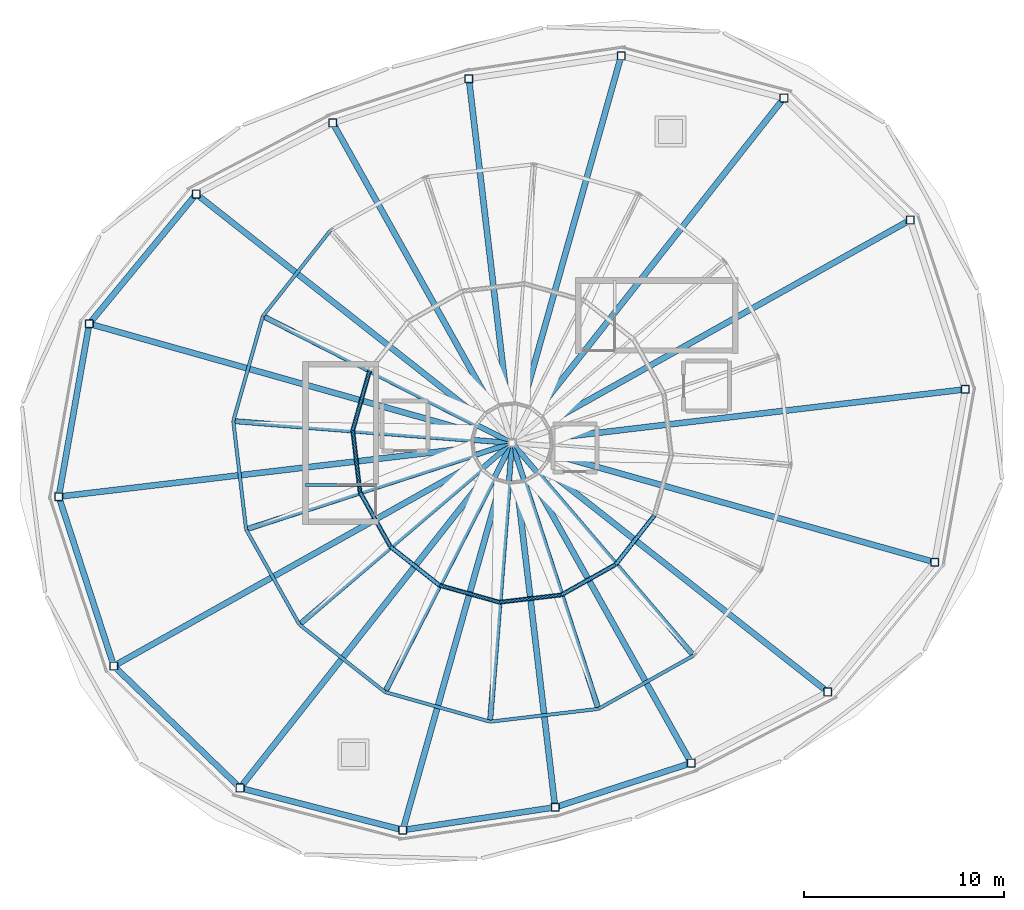
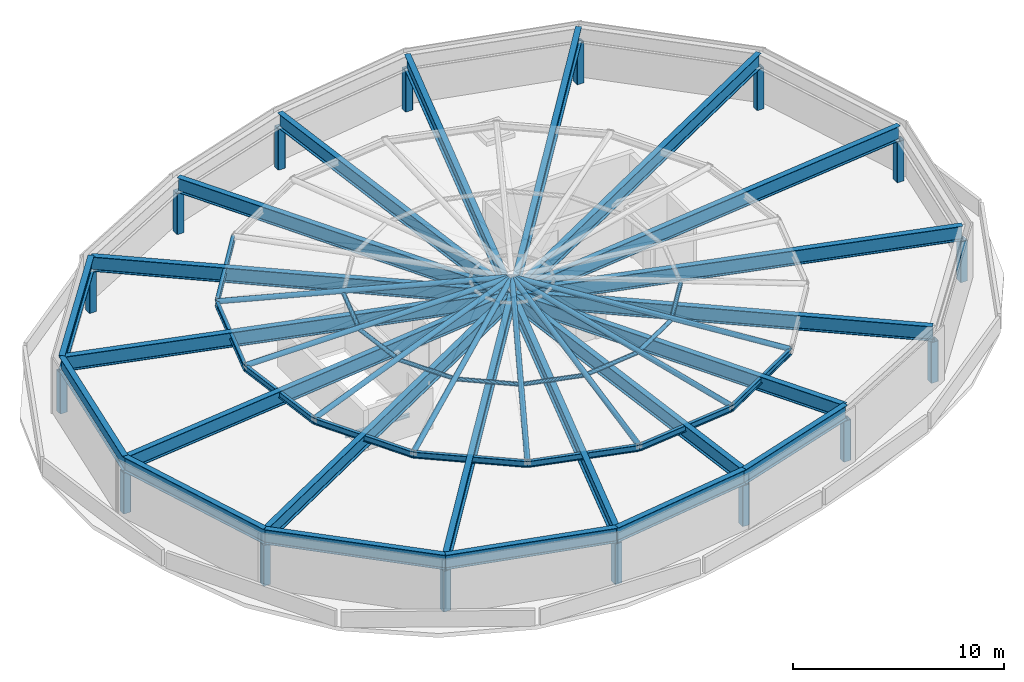
# One storey, part 1 of 9: 24 beams, 16 columns, 16 members.
"""IFC4 building model written with IfcOpenShell, lengths in metres."""

from ifc_helpers import new_model, si_unit, direction, frame, origin, origin_2d, place, context, subcontext, project, spatial, hollow_rectangle, hollow_circle, i_section, extrude, material, material_profile, profile_set, type_object, element, save


model = new_model("IFC4")

# Units and contexts
model_context = context("Model", 3, precision=1e-05, world=origin(), true_north=direction((0.0, 1.0)))
body_context = subcontext(model_context, "Body", "Model", "MODEL_VIEW")
ifc_project = project(units=[si_unit("LENGTHUNIT", "METRE"), si_unit("AREAUNIT", "SQUARE_METRE"), si_unit("VOLUMEUNIT", "CUBIC_METRE"), si_unit("PLANEANGLEUNIT", "RADIAN"), si_unit("MASSUNIT", "GRAM", prefix="KILO")], contexts=[model_context])

# Site, building, storey
site_placement = place(None, origin())
site = spatial("IfcSite", under=ifc_project, at=site_placement, CompositionType="ELEMENT")
building_placement = place(site_placement, origin())
building = spatial("IfcBuilding", under=site, at=building_placement, Name="Kazma Halo Residences", CompositionType="ELEMENT")
storey_placement = place(building_placement, frame((0.0, 0.0, 377.60009765625)))
storey = spatial("IfcBuildingStorey", under=building, at=storey_placement, Name="Roof", CompositionType="ELEMENT", Elevation=377.60009765625)

# Columns
ifc_material = material(Name="Steel S355", Category="steel")
ifc_material_profile_1 = material_profile(ifc_material, hollow_rectangle(XDim=0.39990234375, YDim=0.39990234375, WallThickness=0.02001953125, InnerFilletRadius=0.02001953125, OuterFilletRadius=0.0400390625, at=origin_2d()), Name="SHS400x400x20")
ifc_profile_set_1 = profile_set([ifc_material_profile_1], Name="Steel S355")
column_type = type_object("IfcColumnType", Name="COL-CROWN-SHS400", PredefinedType="COLUMN", material=ifc_profile_set_1)
for number, where, z_axis, x_axis, name in (
    (1, (67.940673828125, 53.167236328125, 0.0), (0.0, 0.0, 1.0), (1.0, 0.0, 0.0), "Crown top ring post 01"),
    (2, (61.617431640625, 59.273681640625, 0.0), (0.0, 0.0, 1.0), (1.0, 0.0, 0.0), "Crown top ring post 02"),
    (3, (53.46630859375, 61.38232421875, 0.0), (0.0, 0.0, 1.0), (1.0, 0.0, 0.0), "Crown top ring post 03"),
    (4, (45.8408203125, 60.24365234375, 0.0), (0.0, 0.0, 1.0), (1.0, 0.0, 0.0), "Crown top ring post 04"),
    (5, (39.0234375, 58.02880859375, 0.0), (0.0, 0.0, 1.0), (1.0, 0.0, 0.0), "Crown top ring post 05"),
    (6, (32.184814453125, 54.467529296875, 0.0), (0.0, 0.0, 1.0), (1.0, 0.0, 0.0), "Crown top ring post 06"),
    (7, (26.830078125, 47.970458984375, 0.0), (0.0, 0.0, 1.0), (1.0, 0.0, 0.0), "Crown top ring post 07"),
    (8, (25.3037109375, 39.313720703125, 0.0), (0.0, 0.0, 1.0), (1.0, 0.0, 0.0), "Crown top ring post 08"),
    (9, (28.059326171875, 30.832763671875, 0.0), (0.0, 0.0, 1.0), (1.0, 0.0, 0.0), "Crown top ring post 09"),
    (10, (34.382568359375, 24.726318359375, 0.0), (0.0, 0.0, 1.0), (1.0, 0.0, 0.0), "Crown top ring post 10"),
    (11, (42.53369140625, 22.61767578125, 0.0), (0.0, 0.0, 1.0), (1.0, 0.0, 0.0), "Crown top ring post 11"),
    (12, (50.1591796875, 23.75634765625, 0.0), (0.0, 0.0, 1.0), (1.0, 0.0, 0.0), "Crown top ring post 12"),
    (13, (56.9765625, 25.97119140625, 0.0), (0.0, 0.0, 1.0), (1.0, 0.0, 0.0), "Crown top ring post 13"),
    (14, (63.815185546875, 29.532470703125, 0.0), (0.0, 0.0, 1.0), (1.0, 0.0, 0.0), "Crown top ring post 14"),
    (15, (69.169921875, 36.029541015625, 0.0), (0.0, 0.0, 1.0), (1.0, 0.0, 0.0), "Crown top ring post 15"),
    (16, (70.6962890625, 44.686279296875, 0.0), (0.0, 0.0, 1.0), (1.0, 0.0, 0.0), "Crown top ring post 16"),
):
    element("IfcColumn", number, at=place(storey_placement, frame(where, z_axis=z_axis, x_axis=x_axis)), inside=storey, type_object=column_type, Name=name, PredefinedType="COLUMN", context=body_context, shape_type="SweptSolid", body=[
        extrude(hollow_rectangle(XDim=0.39990234375, YDim=0.39990234375, WallThickness=0.02001953125, InnerFilletRadius=0.02001953125, OuterFilletRadius=0.0400390625, at=origin_2d()), origin(), (0.0, 0.0, 1.0), 2.35400390625),
    ])

# Beams
ifc_material_profile_2 = material_profile(ifc_material, i_section(OverallWidth=0.299072265625, OverallDepth=0.845947265625, WebThickness=0.015380859375, FlangeThickness=0.0244140625, FilletRadius=0.02197265625, at=origin_2d()), Name="W840x210")
ifc_profile_set_2 = profile_set([ifc_material_profile_2], Name="Steel S355")
beam_type_1 = type_object("IfcBeamType", Name="BM-RING-W840", PredefinedType="BEAM", material=ifc_profile_set_2)
beam_1_placement = place(storey_placement, frame((67.940673828125, 53.167236328125, 2.77685546875), z_axis=(-0.87249745437, -0.488618657153, 0.0), x_axis=(0.488618657153, -0.87249745437, 0.0)))
element("IfcBeam", 17, at=beam_1_placement, inside=storey, type_object=beam_type_1, Name="CROWN FRAME full-span skylight girder 01", PredefinedType="BEAM", context=body_context, shape_type="SweptSolid", body=[
    extrude(i_section(OverallWidth=0.299072265625, OverallDepth=0.845947265625, WebThickness=0.015380859375, FlangeThickness=0.0244140625, FilletRadius=0.02197265625, at=origin_2d()), origin(), (0.0, 0.0, 1.0), 45.70947265625),
])
beam_2_placement = place(storey_placement, frame((61.617431640625, 59.273681640625, 2.77685546875), z_axis=(-0.619092800973, -0.785317836155, 0.0), x_axis=(0.785317836155, -0.619092800973, 0.0)))
element("IfcBeam", 18, at=beam_2_placement, inside=storey, type_object=beam_type_1, Name="CROWN FRAME full-span skylight girder 02", PredefinedType="BEAM", context=body_context, shape_type="SweptSolid", body=[
    extrude(i_section(OverallWidth=0.299072265625, OverallDepth=0.845947265625, WebThickness=0.015380859375, FlangeThickness=0.0244140625, FilletRadius=0.02197265625, at=origin_2d()), origin(), (0.0, 0.0, 1.0), 43.991455078125),
])
beam_3_placement = place(storey_placement, frame((53.46630859375, 61.38232421875, 2.77685546875), z_axis=(-0.271437129499, -0.962456172887, 0.0), x_axis=(0.962456172887, -0.271437129499, 0.0)))
element("IfcBeam", 19, at=beam_3_placement, inside=storey, type_object=beam_type_1, Name="CROWN FRAME full-span skylight girder 03", PredefinedType="BEAM", context=body_context, shape_type="SweptSolid", body=[
    extrude(i_section(OverallWidth=0.299072265625, OverallDepth=0.845947265625, WebThickness=0.015380859375, FlangeThickness=0.0244140625, FilletRadius=0.02197265625, at=origin_2d()), origin(), (0.0, 0.0, 1.0), 40.27685546875),
])
beam_4_placement = place(storey_placement, frame((45.8408203125, 60.24365234375, 2.77685546875), z_axis=(0.117532090415, -0.99306908507, 0.0), x_axis=(0.99306908507, 0.117532090415, 0.0)))
element("IfcBeam", 20, at=beam_4_placement, inside=storey, type_object=beam_type_1, Name="CROWN FRAME full-span skylight girder 04", PredefinedType="BEAM", context=body_context, shape_type="SweptSolid", body=[
    extrude(i_section(OverallWidth=0.299072265625, OverallDepth=0.845947265625, WebThickness=0.015380859375, FlangeThickness=0.0244140625, FilletRadius=0.02197265625, at=origin_2d()), origin(), (0.0, 0.0, 1.0), 36.741943359375),
])
beam_5_placement = place(storey_placement, frame((39.0234375, 58.02880859375, 2.77685546875), z_axis=(0.488621174233, -0.872496044742, 0.0), x_axis=(0.872496044742, 0.488621174233, 0.0)))
element("IfcBeam", 21, at=beam_5_placement, inside=storey, type_object=beam_type_1, Name="CROWN FRAME full-span skylight girder 05", PredefinedType="BEAM", context=body_context, shape_type="SweptSolid", body=[
    extrude(i_section(OverallWidth=0.299072265625, OverallDepth=0.845947265625, WebThickness=0.015380859375, FlangeThickness=0.0244140625, FilletRadius=0.02197265625, at=origin_2d()), origin(), (0.0, 0.0, 1.0), 36.742431640625),
])
beam_6_placement = place(storey_placement, frame((32.184814453125, 54.467529296875, 2.77685546875), z_axis=(-0.636005014199, -0.77168492399, 0.0), x_axis=(0.77168492399, -0.636005014199, 0.0)))
element("IfcBeam", 22, at=beam_6_placement, inside=storey, type_object=beam_type_1, Name="Crown top perimeter ring beam 06", PredefinedType="BEAM", context=body_context, shape_type="SweptSolid", body=[
    extrude(i_section(OverallWidth=0.299072265625, OverallDepth=0.845947265625, WebThickness=0.015380859375, FlangeThickness=0.0244140625, FilletRadius=0.02197265625, at=origin_2d()), origin(), (0.0, 0.0, 1.0), 8.41943359375),
])
beam_7_placement = place(storey_placement, frame((32.184814453125, 54.467529296875, 2.77685546875), z_axis=(0.785320737814, -0.619089120208, 0.0), x_axis=(0.619089120208, 0.785320737814, 0.0)))
element("IfcBeam", 23, at=beam_7_placement, inside=storey, type_object=beam_type_1, Name="CROWN FRAME full-span skylight girder 06", PredefinedType="BEAM", context=body_context, shape_type="SweptSolid", body=[
    extrude(i_section(OverallWidth=0.299072265625, OverallDepth=0.845947265625, WebThickness=0.015380859375, FlangeThickness=0.0244140625, FilletRadius=0.02197265625, at=origin_2d()), origin(), (0.0, 0.0, 1.0), 40.277099609375),
])
beam_8_placement = place(storey_placement, frame((26.830078125, 47.970458984375, 2.77685546875), z_axis=(-0.173642734291, -0.984808712811, 0.0), x_axis=(0.984808712811, -0.173642734291, 0.0)))
element("IfcBeam", 24, at=beam_8_placement, inside=storey, type_object=beam_type_1, Name="Crown top perimeter ring beam 07", PredefinedType="BEAM", context=body_context, shape_type="SweptSolid", body=[
    extrude(i_section(OverallWidth=0.299072265625, OverallDepth=0.845947265625, WebThickness=0.015380859375, FlangeThickness=0.0244140625, FilletRadius=0.02197265625, at=origin_2d()), origin(), (0.0, 0.0, 1.0), 8.790283203125),
])
beam_9_placement = place(storey_placement, frame((26.830078125, 47.970458984375, 2.77685546875), z_axis=(0.962456144763, -0.271437229221, 0.0), x_axis=(0.271437229221, 0.962456144763, 0.0)))
element("IfcBeam", 25, at=beam_9_placement, inside=storey, type_object=beam_type_1, Name="CROWN FRAME full-span skylight girder 07", PredefinedType="BEAM", context=body_context, shape_type="SweptSolid", body=[
    extrude(i_section(OverallWidth=0.299072265625, OverallDepth=0.845947265625, WebThickness=0.015380859375, FlangeThickness=0.0244140625, FilletRadius=0.02197265625, at=origin_2d()), origin(), (0.0, 0.0, 1.0), 43.991455078125),
])
beam_10_placement = place(storey_placement, frame((25.3037109375, 39.313720703125, 2.77685546875), z_axis=(0.309015498459, -0.951057002346, 0.0), x_axis=(0.951057002346, 0.309015498459, 0.0)))
element("IfcBeam", 26, at=beam_10_placement, inside=storey, type_object=beam_type_1, Name="Crown top perimeter ring beam 08", PredefinedType="BEAM", context=body_context, shape_type="SweptSolid", body=[
    extrude(i_section(OverallWidth=0.299072265625, OverallDepth=0.845947265625, WebThickness=0.015380859375, FlangeThickness=0.0244140625, FilletRadius=0.02197265625, at=origin_2d()), origin(), (0.0, 0.0, 1.0), 8.91748046875),
])
beam_11_placement = place(storey_placement, frame((25.3037109375, 39.313720703125, 2.77685546875), z_axis=(0.993068475017, 0.117537244854, 0.0), x_axis=(-0.117537244854, 0.993068475017, 0.0)))
element("IfcBeam", 27, at=beam_11_placement, inside=storey, type_object=beam_type_1, Name="CROWN FRAME full-span skylight girder 08", PredefinedType="BEAM", context=body_context, shape_type="SweptSolid", body=[
    extrude(i_section(OverallWidth=0.299072265625, OverallDepth=0.845947265625, WebThickness=0.015380859375, FlangeThickness=0.0244140625, FilletRadius=0.02197265625, at=origin_2d()), origin(), (0.0, 0.0, 1.0), 45.70947265625),
])
beam_12_placement = place(storey_placement, frame((28.059326171875, 30.832763671875, 2.77685546875), z_axis=(0.719330630477, -0.694667866003, 0.0), x_axis=(0.694667866003, 0.719330630477, 0.0)))
element("IfcBeam", 28, at=beam_12_placement, inside=storey, type_object=beam_type_1, Name="Crown top perimeter ring beam 09", PredefinedType="BEAM", context=body_context, shape_type="SweptSolid", body=[
    extrude(i_section(OverallWidth=0.299072265625, OverallDepth=0.845947265625, WebThickness=0.015380859375, FlangeThickness=0.0244140625, FilletRadius=0.02197265625, at=origin_2d()), origin(), (0.0, 0.0, 1.0), 8.79052734375),
])
beam_13_placement = place(storey_placement, frame((34.382568359375, 24.726318359375, 2.77685546875), z_axis=(0.968129821283, -0.250448895271, 0.0), x_axis=(0.250448895271, 0.968129821283, 0.0)))
element("IfcBeam", 29, at=beam_13_placement, inside=storey, type_object=beam_type_1, Name="Crown top perimeter ring beam 10", PredefinedType="BEAM", context=body_context, shape_type="SweptSolid", body=[
    extrude(i_section(OverallWidth=0.299072265625, OverallDepth=0.845947265625, WebThickness=0.015380859375, FlangeThickness=0.0244140625, FilletRadius=0.02197265625, at=origin_2d()), origin(), (0.0, 0.0, 1.0), 8.41943359375),
])
beam_14_placement = place(storey_placement, frame((42.53369140625, 22.61767578125, 2.77685546875), z_axis=(0.989034152337, 0.147686984904, 0.0), x_axis=(-0.147686984904, 0.989034152337, 0.0)))
element("IfcBeam", 30, at=beam_14_placement, inside=storey, type_object=beam_type_1, Name="Crown top perimeter ring beam 11", PredefinedType="BEAM", context=body_context, shape_type="SweptSolid", body=[
    extrude(i_section(OverallWidth=0.299072265625, OverallDepth=0.845947265625, WebThickness=0.015380859375, FlangeThickness=0.0244140625, FilletRadius=0.02197265625, at=origin_2d()), origin(), (0.0, 0.0, 1.0), 7.7099609375),
])
beam_15_placement = place(storey_placement, frame((50.1591796875, 23.75634765625, 2.77685546875), z_axis=(0.951067102, 0.308984413026, 0.0), x_axis=(-0.308984413026, 0.951067102, 0.0)))
element("IfcBeam", 31, at=beam_15_placement, inside=storey, type_object=beam_type_1, Name="Crown top perimeter ring beam 12", PredefinedType="BEAM", context=body_context, shape_type="SweptSolid", body=[
    extrude(i_section(OverallWidth=0.299072265625, OverallDepth=0.845947265625, WebThickness=0.015380859375, FlangeThickness=0.0244140625, FilletRadius=0.02197265625, at=origin_2d()), origin(), (0.0, 0.0, 1.0), 7.168212890625),
])
ifc_material_profile_3 = material_profile(ifc_material, i_section(OverallWidth=0.1708984375, OverallDepth=0.35498046875, WebThickness=0.007080078125, FlangeThickness=0.01171875, FilletRadius=0.013916015625, at=origin_2d()), Name="W360x51")
ifc_profile_set_3 = profile_set([ifc_material_profile_3], Name="Steel S355")
beam_type_2 = type_object("IfcBeamType", Name="BM-SPN-W360", PredefinedType="BEAM", material=ifc_profile_set_3)
beam_16_placement = place(storey_placement, frame((38.90771484375, 52.645751953125, 2.949951171875), z_axis=(-0.619097822213, -0.785313877715, 0.0), x_axis=(0.785313877715, -0.619097822213, 0.0)))
element("IfcBeam", 32, at=beam_16_placement, inside=storey, type_object=beam_type_2, Name="Crown skylight eave ring beam 06", PredefinedType="BEAM", context=body_context, shape_type="SweptSolid", body=[
    extrude(i_section(OverallWidth=0.1708984375, OverallDepth=0.35498046875, WebThickness=0.007080078125, FlangeThickness=0.01171875, FilletRadius=0.013916015625, at=origin_2d()), origin(), (0.0, 0.0, 1.0), 5.46240234375),
])
beam_17_placement = place(storey_placement, frame((35.52587890625, 48.35595703125, 2.949951171875), z_axis=(-0.271419826878, -0.962461052499, 0.0), x_axis=(0.962461052499, -0.271419826878, 0.0)))
element("IfcBeam", 33, at=beam_17_placement, inside=storey, type_object=beam_type_2, Name="Crown skylight eave ring beam 07", PredefinedType="BEAM", context=body_context, shape_type="SweptSolid", body=[
    extrude(i_section(OverallWidth=0.1708984375, OverallDepth=0.35498046875, WebThickness=0.007080078125, FlangeThickness=0.01171875, FilletRadius=0.013916015625, at=origin_2d()), origin(), (0.0, 0.0, 1.0), 5.462646484375),
])
for number, where, z_axis, x_axis, name in (
    (34, (34.043212890625, 43.098388671875, 2.949951171875), (0.117546567675, -0.993067371545, 0.0), (0.993067371545, 0.117546567675, 0.0), "Crown skylight eave ring beam 08"),
    (35, (34.685302734375, 37.673828125, 2.949951171875), (0.488592481248, -0.872512112964, 0.0), (0.872512112964, 0.488592481248, 0.0), "Crown skylight eave ring beam 09"),
    (36, (37.354248046875, 32.90771484375, 2.949951171875), (0.785313877715, -0.619097822213, 0.0), (0.619097822213, 0.785313877715, 0.0), "Crown skylight eave ring beam 10"),
):
    element("IfcBeam", number, at=place(storey_placement, frame(where, z_axis=z_axis, x_axis=x_axis)), inside=storey, type_object=beam_type_2, Name=name, PredefinedType="BEAM", context=body_context, shape_type="SweptSolid", body=[
        extrude(i_section(OverallWidth=0.1708984375, OverallDepth=0.35498046875, WebThickness=0.007080078125, FlangeThickness=0.01171875, FilletRadius=0.013916015625, at=origin_2d()), origin(), (0.0, 0.0, 1.0), 5.46240234375),
    ])
beam_18_placement = place(storey_placement, frame((41.64404296875, 29.52587890625, 2.949951171875), z_axis=(0.962461052499, -0.271419826878, 0.0), x_axis=(0.271419826878, 0.962461052499, 0.0)))
element("IfcBeam", 37, at=beam_18_placement, inside=storey, type_object=beam_type_2, Name="Crown skylight eave ring beam 11", PredefinedType="BEAM", context=body_context, shape_type="SweptSolid", body=[
    extrude(i_section(OverallWidth=0.1708984375, OverallDepth=0.35498046875, WebThickness=0.007080078125, FlangeThickness=0.01171875, FilletRadius=0.013916015625, at=origin_2d()), origin(), (0.0, 0.0, 1.0), 5.462646484375),
])
for number, where, z_axis, x_axis, name in (
    (38, (46.901611328125, 28.043212890625, 2.949951171875), (0.993067371545, 0.117546567675, 0.0), (-0.117546567675, 0.993067371545, 0.0), "Crown skylight eave ring beam 12"),
    (39, (52.326171875, 28.685302734375, 2.949951171875), (0.872512112964, 0.488592481248, 0.0), (-0.488592481248, 0.872512112964, 0.0), "Crown skylight eave ring beam 13"),
):
    element("IfcBeam", number, at=place(storey_placement, frame(where, z_axis=z_axis, x_axis=x_axis)), inside=storey, type_object=beam_type_2, Name=name, PredefinedType="BEAM", context=body_context, shape_type="SweptSolid", body=[
        extrude(i_section(OverallWidth=0.1708984375, OverallDepth=0.35498046875, WebThickness=0.007080078125, FlangeThickness=0.01171875, FilletRadius=0.013916015625, at=origin_2d()), origin(), (0.0, 0.0, 1.0), 5.46240234375),
    ])
ifc_material_profile_4 = material_profile(ifc_material, i_section(OverallWidth=0.133056640625, OverallDepth=0.20703125, WebThickness=0.005859375, FlangeThickness=0.00830078125, FilletRadius=0.010009765625, at=origin_2d()), Name="W200x26.6")
ifc_profile_set_4 = profile_set([ifc_material_profile_4], Name="Steel S355")
beam_type_3 = type_object("IfcBeamType", Name="BM-TRIM-W200", PredefinedType="BEAM", material=ifc_profile_set_4)
beam_19_placement = place(storey_placement, frame((37.659912109375, 39.89990234375, -0.35009765625), z_axis=(1.0, 0.0, 0.0), x_axis=(0.0, 1.0, 0.0)))
element("IfcBeam", 40, at=beam_19_placement, inside=storey, type_object=beam_type_3, Name="Roof ST-01 arrival landing trimmer", PredefinedType="BEAM", context=body_context, shape_type="SweptSolid", body=[
    extrude(i_section(OverallWidth=0.133056640625, OverallDepth=0.20703125, WebThickness=0.005859375, FlangeThickness=0.00830078125, FilletRadius=0.010009765625, at=origin_2d()), origin(), (0.0, 0.0, 1.0), 3.52001953125),
])

# Members
ifc_material_profile_5 = material_profile(ifc_material, hollow_circle(Radius=0.109619140625, WallThickness=0.008056640625, at=origin_2d()), Name="CHS219.1x8")
ifc_profile_set_5 = profile_set([ifc_material_profile_5], Name="Steel S355")
member_type_1 = type_object("IfcMemberType", Name="MBR-SKYL-CHS219", PredefinedType="PURLIN", material=ifc_profile_set_5)
member_1_placement = place(storey_placement, frame((40.871826171875, 45.6318359375, 3.3388671875), z_axis=(-0.27141372026, -0.962462774581, 0.0), x_axis=(0.962462774581, -0.27141372026, 0.0)))
element("IfcMember", 41, at=member_1_placement, inside=storey, type_object=member_type_1, Name="Crown skylight purlin 07", PredefinedType="PURLIN", context=body_context, shape_type="SweptSolid", body=[
    extrude(hollow_circle(Radius=0.109619140625, WallThickness=0.008056640625, at=origin_2d()), origin(), (0.0, 0.0, 1.0), 3.121337890625),
])
member_2_placement = place(storey_placement, frame((40.024658203125, 42.627685546875, 3.3388671875), z_axis=(0.117553673717, -0.993066530397, 0.0), x_axis=(0.993066530397, 0.117553673717, 0.0)))
element("IfcMember", 42, at=member_2_placement, inside=storey, type_object=member_type_1, Name="Crown skylight purlin 08", PredefinedType="PURLIN", context=body_context, shape_type="SweptSolid", body=[
    extrude(hollow_circle(Radius=0.109619140625, WallThickness=0.008056640625, at=origin_2d()), origin(), (0.0, 0.0, 1.0), 3.12158203125),
])
member_3_placement = place(storey_placement, frame((40.3916015625, 39.52783203125, 3.3388671875), z_axis=(0.488615277533, -0.872499347027, 0.0), x_axis=(0.872499347027, 0.488615277533, 0.0)))
element("IfcMember", 43, at=member_3_placement, inside=storey, type_object=member_type_1, Name="Crown skylight purlin 09", PredefinedType="PURLIN", context=body_context, shape_type="SweptSolid", body=[
    extrude(hollow_circle(Radius=0.109619140625, WallThickness=0.008056640625, at=origin_2d()), origin(), (0.0, 0.0, 1.0), 3.121337890625),
])
member_4_placement = place(storey_placement, frame((41.916748046875, 36.804443359375, 3.3388671875), z_axis=(0.785304996369, -0.619109087866, 0.0), x_axis=(0.619109087866, 0.785304996369, 0.0)))
element("IfcMember", 44, at=member_4_placement, inside=storey, type_object=member_type_1, Name="Crown skylight purlin 10", PredefinedType="PURLIN", context=body_context, shape_type="SweptSolid", body=[
    extrude(hollow_circle(Radius=0.109619140625, WallThickness=0.008056640625, at=origin_2d()), origin(), (0.0, 0.0, 1.0), 3.12158203125),
])
member_5_placement = place(storey_placement, frame((44.3681640625, 34.871826171875, 3.3388671875), z_axis=(0.962462774581, -0.27141372026, 0.0), x_axis=(0.27141372026, 0.962462774581, 0.0)))
element("IfcMember", 45, at=member_5_placement, inside=storey, type_object=member_type_1, Name="Crown skylight purlin 11", PredefinedType="PURLIN", context=body_context, shape_type="SweptSolid", body=[
    extrude(hollow_circle(Radius=0.109619140625, WallThickness=0.008056640625, at=origin_2d()), origin(), (0.0, 0.0, 1.0), 3.121337890625),
])
member_6_placement = place(storey_placement, frame((47.372314453125, 34.024658203125, 3.3388671875), z_axis=(0.993066530397, 0.117553673717, 0.0), x_axis=(-0.117553673717, 0.993066530397, 0.0)))
element("IfcMember", 46, at=member_6_placement, inside=storey, type_object=member_type_1, Name="Crown skylight purlin 12", PredefinedType="PURLIN", context=body_context, shape_type="SweptSolid", body=[
    extrude(hollow_circle(Radius=0.109619140625, WallThickness=0.008056640625, at=origin_2d()), origin(), (0.0, 0.0, 1.0), 3.12158203125),
])
member_7_placement = place(storey_placement, frame((50.47216796875, 34.3916015625, 3.3388671875), z_axis=(0.872499347027, 0.488615277533, 0.0), x_axis=(-0.488615277533, 0.872499347027, 0.0)))
element("IfcMember", 47, at=member_7_placement, inside=storey, type_object=member_type_1, Name="Crown skylight purlin 13", PredefinedType="PURLIN", context=body_context, shape_type="SweptSolid", body=[
    extrude(hollow_circle(Radius=0.109619140625, WallThickness=0.008056640625, at=origin_2d()), origin(), (0.0, 0.0, 1.0), 3.121337890625),
])
member_8_placement = place(storey_placement, frame((53.195556640625, 35.916748046875, 3.3388671875), z_axis=(0.619109087866, 0.785304996369, 0.0), x_axis=(-0.785304996369, 0.619109087866, 0.0)))
element("IfcMember", 48, at=member_8_placement, inside=storey, type_object=member_type_1, Name="Crown skylight purlin 14", PredefinedType="PURLIN", context=body_context, shape_type="SweptSolid", body=[
    extrude(hollow_circle(Radius=0.109619140625, WallThickness=0.008056640625, at=origin_2d()), origin(), (0.0, 0.0, 1.0), 3.12158203125),
])
ifc_material_profile_6 = material_profile(ifc_material, hollow_circle(Radius=0.136474609375, WallThickness=0.010009765625, at=origin_2d()), Name="CHS273x10")
ifc_profile_set_6 = profile_set([ifc_material_profile_6], Name="Steel S355")
member_type_2 = type_object("IfcMemberType", Name="MBR-SKYL-CHS273", PredefinedType="RAFTER", material=ifc_profile_set_6)
member_9_placement = place(storey_placement, frame((35.52587890625, 48.35595703125, 3.059814453125), z_axis=(0.889119394659, -0.453034296014, 0.065012527076), x_axis=(0.45399474556, 0.891004360822, 0.0)))
element("IfcMember", 49, at=member_9_placement, inside=storey, type_object=member_type_2, Name="Crown 5.2-deg skylight radial rafter 07", PredefinedType="RAFTER", context=body_context, shape_type="SweptSolid", body=[
    extrude(hollow_circle(Radius=0.136474609375, WallThickness=0.010009765625, at=origin_2d()), origin(), (0.0, 0.0, 1.0), 14.02978515625),
])
for number, where, z_axis, x_axis, name in (
    (50, (34.043212890625, 43.098388671875, 3.059814453125), (0.994808456568, -0.078290678995, 0.065013108852), (0.078456661124, 0.996917525338, 0.0), "Crown 5.2-deg skylight radial rafter 08"),
    (51, (34.685302734375, 37.673828125, 3.059814453125), (0.949045199896, 0.308360946553, 0.065013346294), (-0.309014699749, 0.951057261861, 0.0), "Crown 5.2-deg skylight radial rafter 09"),
):
    element("IfcMember", number, at=place(storey_placement, frame(where, z_axis=z_axis, x_axis=x_axis)), inside=storey, type_object=member_type_2, Name=name, PredefinedType="RAFTER", context=body_context, shape_type="SweptSolid", body=[
        extrude(hollow_circle(Radius=0.136474609375, WallThickness=0.010009765625, at=origin_2d()), origin(), (0.0, 0.0, 1.0), 14.029541015625),
    ])
for number, where, z_axis, x_axis, name in (
    (52, (37.354248046875, 32.90771484375, 3.059814453125), (0.758798903592, 0.648072211158, 0.065012560574), (-0.649446149754, 0.760407587133, 0.0), "Crown 5.2-deg skylight radial rafter 10"),
    (53, (41.64404296875, 29.52587890625, 3.059814453125), (0.453034296014, 0.889119394659, 0.065012527076), (-0.891004360822, 0.45399474556, 0.0), "Crown 5.2-deg skylight radial rafter 11"),
):
    element("IfcMember", number, at=place(storey_placement, frame(where, z_axis=z_axis, x_axis=x_axis)), inside=storey, type_object=member_type_2, Name=name, PredefinedType="RAFTER", context=body_context, shape_type="SweptSolid", body=[
        extrude(hollow_circle(Radius=0.136474609375, WallThickness=0.010009765625, at=origin_2d()), origin(), (0.0, 0.0, 1.0), 14.02978515625),
    ])
for number, where, z_axis, x_axis, name in (
    (54, (46.901611328125, 28.043212890625, 3.059814453125), (0.078290678995, 0.994808456568, 0.065013108852), (-0.996917525338, 0.078456661124, 0.0), "Crown 5.2-deg skylight radial rafter 12"),
    (55, (52.326171875, 28.685302734375, 3.059814453125), (-0.308360946553, 0.949045199896, 0.065013346294), (-0.951057261861, -0.309014699749, 0.0), "Crown 5.2-deg skylight radial rafter 13"),
):
    element("IfcMember", number, at=place(storey_placement, frame(where, z_axis=z_axis, x_axis=x_axis)), inside=storey, type_object=member_type_2, Name=name, PredefinedType="RAFTER", context=body_context, shape_type="SweptSolid", body=[
        extrude(hollow_circle(Radius=0.136474609375, WallThickness=0.010009765625, at=origin_2d()), origin(), (0.0, 0.0, 1.0), 14.029541015625),
    ])
member_10_placement = place(storey_placement, frame((57.09228515625, 31.354248046875, 3.059814453125), z_axis=(-0.648072211158, 0.758798903592, 0.065012560574), x_axis=(-0.760407587133, -0.649446149754, 0.0)))
element("IfcMember", 56, at=member_10_placement, inside=storey, type_object=member_type_2, Name="Crown 5.2-deg skylight radial rafter 14", PredefinedType="RAFTER", context=body_context, shape_type="SweptSolid", body=[
    extrude(hollow_circle(Radius=0.136474609375, WallThickness=0.010009765625, at=origin_2d()), origin(), (0.0, 0.0, 1.0), 14.02978515625),
])

save(model, "model.ifc")
